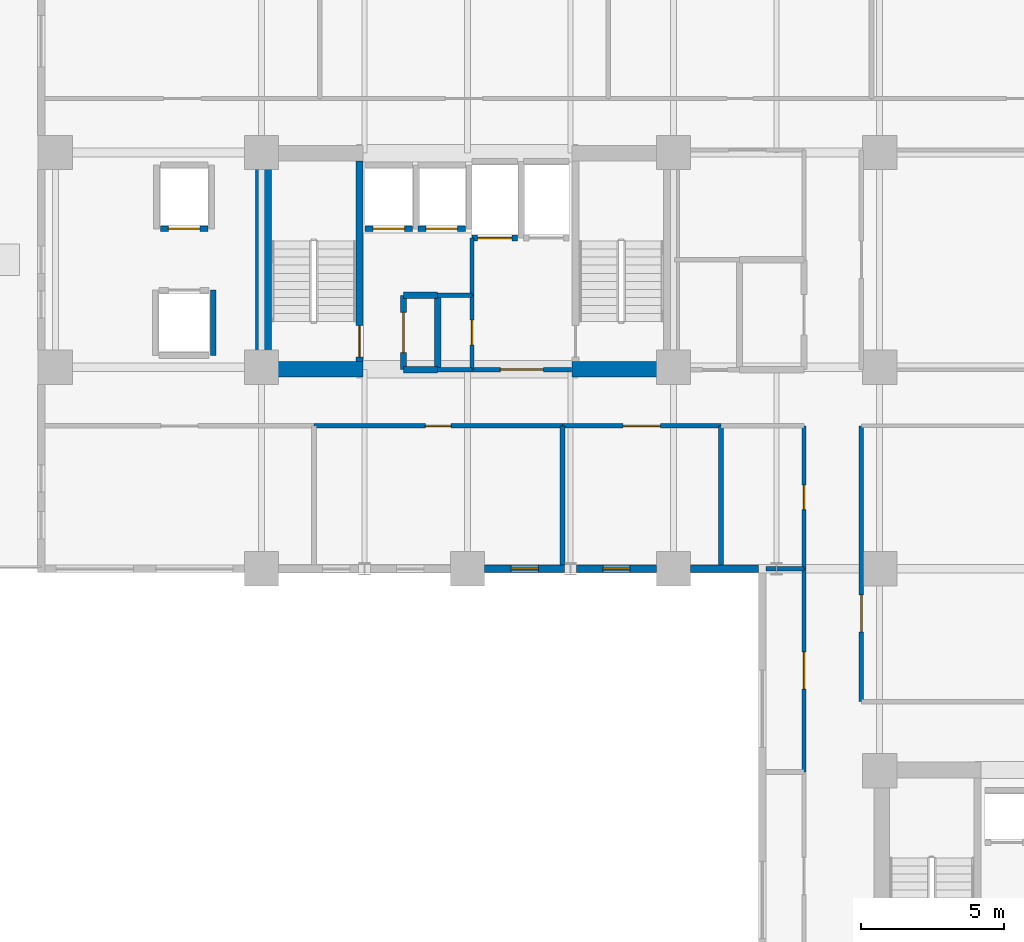
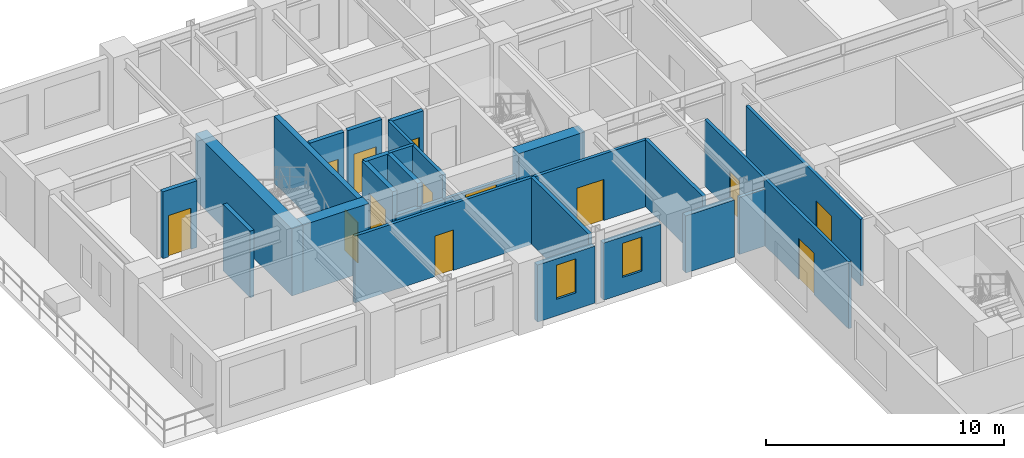
# One storey, part 3 of 11: 29 walls, 13 doors, 2 windows, 15 openings.
"""IFC4 building model written with IfcOpenShell, lengths in metres."""

import ifcopenshell
import ifcopenshell.guid

model = None  # the IFC model being written
_history = None  # IfcOwnerHistory: only IFC2X3 demands one
_inside = {}  # id of a spatial element -> (the spatial element, [elements in it])
_under = {}  # id of a project, library or spatial element -> (it, [spatial elements below it])
_declared = {}  # id of a project -> (the project, [libraries it declares])
_typed = {}  # id of a type object -> (the type object, [elements of that type])
_made_of = {}  # id of a material, layer set ... -> (it, [elements and type objects made of it])


def new_model(schema):
    """Start an empty IFC model of exactly this schema.

    Asked for "IFC4X3", IfcOpenShell would pick the latest addendum, in which some entities
    have other attributes; the version numbers below select the first issue.
    IFC2X3 requires an IfcOwnerHistory on every rooted entity: one is made here for all.
    """
    global model, _history
    if schema == "IFC4X3":
        model = ifcopenshell.file(schema_version=(4, 3, 0, 0))
    else:
        model = ifcopenshell.file(schema=schema)
    _inside.clear()
    _under.clear()
    _declared.clear()
    _typed.clear()
    _made_of.clear()
    _history = None
    if model.schema == "IFC2X3":
        org = make("IfcOrganization", Name="unknown")
        user = make(
            "IfcPersonAndOrganization",
            ThePerson=make("IfcPerson", FamilyName="unknown"),
            TheOrganization=org,
        )
        app = make(
            "IfcApplication",
            ApplicationDeveloper=org,
            Version="unknown",
            ApplicationFullName="unknown",
            ApplicationIdentifier="unknown",
        )
        _history = make(
            "IfcOwnerHistory",
            OwningUser=user,
            OwningApplication=app,
            ChangeAction="ADDED",
            CreationDate=0,
        )
    return model


def make(cls, **values):
    """One entity of the class cls with the attributes given. An attribute that is None is left unset."""
    return model.create_entity(
        cls, **{name: value for name, value in values.items() if value is not None}
    )


def rooted(cls, **values):
    """An entity with a GlobalId (a new one), such as an element, a storey or a relation."""
    return make(cls, GlobalId=ifcopenshell.guid.new(), OwnerHistory=_history, **values)


def si_unit(unit_type, name, prefix=None):
    """IfcSIUnit, for example si_unit("LENGTHUNIT", "METRE", prefix="MILLI")."""
    return make("IfcSIUnit", UnitType=unit_type, Prefix=prefix, Name=name)


def assignment(units):
    """IfcUnitAssignment: the units of a project."""
    return None if units is None else make("IfcUnitAssignment", Units=units)


def point(xyz):
    """IfcCartesianPoint."""
    return None if xyz is None else make("IfcCartesianPoint", Coordinates=xyz)


def direction(xyz):
    """IfcDirection."""
    return None if xyz is None else make("IfcDirection", DirectionRatios=xyz)


def frame(location, z_axis=None, x_axis=None):
    """IfcAxis2Placement3D, a coordinate frame: its origin and axes. An axis left out is left unset."""
    return make(
        "IfcAxis2Placement3D",
        Location=point(location),
        Axis=direction(z_axis),
        RefDirection=direction(x_axis),
    )


def frame_2d(location, x_axis=None):
    """IfcAxis2Placement2D, a coordinate frame in the plane: its origin and x axis."""
    return make(
        "IfcAxis2Placement2D", Location=point(location), RefDirection=direction(x_axis)
    )


def origin():
    """The frame at (0, 0, 0) with its axes left unset."""
    return frame((0.0, 0.0, 0.0))


def place(relative_to, where):
    """IfcLocalPlacement: puts the frame where relative to a parent placement (None: the world)."""
    return make(
        "IfcLocalPlacement", PlacementRelTo=relative_to, RelativePlacement=where
    )


def context(
    kind, dimensions, precision=None, world=None, true_north=None, identifier=None
):
    """IfcGeometricRepresentationContext, for example the 3D "Model" context."""
    return make(
        "IfcGeometricRepresentationContext",
        ContextIdentifier=identifier,
        ContextType=kind,
        CoordinateSpaceDimension=dimensions,
        Precision=precision,
        WorldCoordinateSystem=world,
        TrueNorth=true_north,
    )


def subcontext(parent, identifier, kind, view, scale=None):
    """IfcGeometricRepresentationSubContext, for example "Body" below "Model"."""
    return make(
        "IfcGeometricRepresentationSubContext",
        ContextIdentifier=identifier,
        ContextType=kind,
        ParentContext=parent,
        TargetScale=scale,
        TargetView=view,
    )


def project(units=None, contexts=None):
    """IfcProject with its units and contexts."""
    return rooted(
        "IfcProject",
        Name="project",
        RepresentationContexts=contexts,
        UnitsInContext=assignment(units),
    )


def spatial(cls, under=None, at=None, **own):
    """A site, building, storey or space (cls), placed at a placement, below another one or the project."""
    s = rooted(cls, ObjectPlacement=at, **own)
    if under is not None:
        _under.setdefault(under.id(), (under, []))[1].append(s)
    return s


def profile(cls, at=None, kind="AREA", **sizes):
    """A parametric profile (cls). Its sizes go by their IFC names, for example OverallWidth=200.0."""
    return make(cls, ProfileType=kind, Position=at, **sizes)


def rectangle(**sizes):
    """IfcRectangleProfileDef."""
    return profile("IfcRectangleProfileDef", **sizes)


def extrude(swept, where, along, depth):
    """IfcExtrudedAreaSolid: the profile swept, set in the frame where, extruded along a direction by depth."""
    return make(
        "IfcExtrudedAreaSolid",
        SweptArea=swept,
        Position=where,
        ExtrudedDirection=direction(along),
        Depth=depth,
    )


def shape(context_of_items, identifier, shape_type, items):
    """IfcShapeRepresentation: the items that make up one representation, for example the "Body"."""
    return make(
        "IfcShapeRepresentation",
        ContextOfItems=context_of_items,
        RepresentationIdentifier=identifier,
        RepresentationType=shape_type,
        Items=items,
    )


def material(Name=None, Category=None):
    """IfcMaterial."""
    return make("IfcMaterial", Name=Name, Category=Category)


def layer(
    of_material, thickness, ventilated=None, Name=None, Category=None, Priority=None
):
    """IfcMaterialLayer: one layer of a wall or slab, of a material (None: an air gap)."""
    return make(
        "IfcMaterialLayer",
        Material=of_material,
        LayerThickness=thickness,
        IsVentilated=ventilated,
        Name=Name,
        Category=Category,
        Priority=Priority,
    )


def layer_set(layers, Name=None):
    """IfcMaterialLayerSet."""
    return make("IfcMaterialLayerSet", MaterialLayers=layers, LayerSetName=Name)


def made_of(thing, what):
    """Note that an element or type object is made of a material, layer set ...; save() writes the relation."""
    if what is not None:
        _made_of.setdefault(what.id(), (what, []))[1].append(thing)
    return thing


def type_object(cls, material=None, **own):
    """A type object (cls), such as IfcWallType, which elements share."""
    return made_of(rooted(cls, **own), material)


def element(
    cls,
    number,
    at=None,
    inside=None,
    cuts=None,
    type_object=None,
    material=None,
    context=None,
    identifier="Body",
    shape_type=None,
    held_by="IfcProductDefinitionShape",
    body=None,
    shapes=None,
    **own,
):
    """One element of the class cls, such as IfcWall. Its Tag is "e" and its number.

    at: its placement. inside: the storey or other place that contains it. cuts: it is an
    opening in that element (IfcRelVoidsElement). A single representation is given by context,
    identifier, shape_type and body (its items); several are given by shapes. held_by: the class
    of the entity that holds the representations. save() writes the other relations.
    """
    e = rooted(cls, Tag="e%d" % number, ObjectPlacement=at, **own)
    if body is not None:
        shapes = [shape(context, identifier, shape_type, body)]
    if shapes is not None:
        e.Representation = make(held_by, Representations=shapes)
    if inside is not None:
        _inside.setdefault(inside.id(), (inside, []))[1].append(e)
    if cuts is not None:
        rooted(
            "IfcRelVoidsElement", RelatingBuildingElement=cuts, RelatedOpeningElement=e
        )
    if type_object is not None:
        _typed.setdefault(type_object.id(), (type_object, []))[1].append(e)
    return made_of(e, material)


def fill(opening, filler):
    """IfcRelFillsElement: the door or window that sits in an opening."""
    return rooted(
        "IfcRelFillsElement",
        RelatingOpeningElement=opening,
        RelatedBuildingElement=filler,
    )


def aggregate(whole, parts):
    """IfcRelAggregates: a whole, such as a stair, and the parts it consists of."""
    return rooted("IfcRelAggregates", RelatingObject=whole, RelatedObjects=parts)


def save(model, path):
    """Write the relations noted so far, then the file.

    IfcRelAggregates (storeys below a building ...), IfcRelContainedInSpatialStructure (elements
    in a storey), IfcRelDefinesByType, IfcRelAssociatesMaterial and IfcRelDeclares: one each for
    every whole, place, type object, material and project.
    """
    for whole, parts in _under.values():
        aggregate(whole, parts)
    for where, things in _inside.values():
        rooted(
            "IfcRelContainedInSpatialStructure",
            RelatedElements=things,
            RelatingStructure=where,
        )
    for kind, things in _typed.values():
        rooted("IfcRelDefinesByType", RelatedObjects=things, RelatingType=kind)
    for what, things in _made_of.values():
        rooted("IfcRelAssociatesMaterial", RelatedObjects=things, RelatingMaterial=what)
    for by, libraries in _declared.values():
        rooted("IfcRelDeclares", RelatingContext=by, RelatedDefinitions=libraries)
    model.write(path)


model = new_model("IFC4")

# Units and contexts
model_context = context("Model", 3, precision=1e-05, world=origin(), true_north=direction((0.0, 1.0)))
body_context = subcontext(model_context, "Body", "Model", "MODEL_VIEW")
ifc_project = project(units=[si_unit("LENGTHUNIT", "METRE"), si_unit("AREAUNIT", "SQUARE_METRE"), si_unit("VOLUMEUNIT", "CUBIC_METRE"), si_unit("PLANEANGLEUNIT", "RADIAN"), si_unit("MASSUNIT", "GRAM", prefix="KILO")], contexts=[model_context])

# Site, building, storey
site_placement = place(None, origin())
site = spatial("IfcSite", under=ifc_project, at=site_placement, CompositionType="ELEMENT")
building_placement = place(site_placement, origin())
building = spatial("IfcBuilding", under=site, at=building_placement, Name="Kaliganga Portal Commons", CompositionType="ELEMENT")
storey_placement = place(building_placement, frame((0.0, 0.0, 78.60009765625)))
storey = spatial("IfcBuildingStorey", under=building, at=storey_placement, Name="L19", CompositionType="ELEMENT", Elevation=78.60009765625)

# Walls
ifc_material_1 = material(Name="Concrete C60/75", Category="concrete")
ifc_layer_1 = layer(ifc_material_1, 0.550048828125)
ifc_layer_set_1 = layer_set([ifc_layer_1], Name="Concrete C60/75")
wall_type_1 = type_object("IfcWallType", Name="WL-CORE-550", PredefinedType="SHEAR", material=ifc_layer_set_1)
wall_1_placement = place(storey_placement, frame((14.47509765625, 28.300048828125, 0.0), z_axis=(0.0, 0.0, 1.0), x_axis=(0.0, 1.0, 0.0)))
element("IfcWall", 1, at=wall_1_placement, inside=storey, type_object=wall_type_1, Name="Core A West Shear Wall L19", PredefinedType="SHEAR", context=body_context, shape_type="SweptSolid", body=[
    extrude(rectangle(XDim=8.099853515625, YDim=0.550048828125, at=frame_2d((4.0498046875, 0.0))), origin(), (0.0, 0.0, 1.0), 3.449951171875),
])
for number, where, z_axis, x_axis, name in (
    (2, (14.75, 28.574951171875, 0.0), (0.0, 0.0, 1.0), (1.0, 0.0, 0.0), "Core A S-West Shear Wall L19"),
    (3, (25.25, 28.574951171875, 0.0), (0.0, 0.0, 1.0), (1.0, 0.0, 0.0), "Core A S-East Shear Wall L19"),
):
    element("IfcWall", number, at=place(storey_placement, frame(where, z_axis=z_axis, x_axis=x_axis)), inside=storey, type_object=wall_type_1, Name=name, PredefinedType="SHEAR", context=body_context, shape_type="SweptSolid", body=[
        extrude(rectangle(XDim=3.199951171875, YDim=0.550048828125, at=frame_2d((1.60009765625, 0.0))), origin(), (0.0, 0.0, 1.0), 3.449951171875),
    ])

# Wall, opening, window
ifc_material_2 = material(Name="Insulated Aluminium-Clad Spandrel Assembly", Category="aluminium")
ifc_layer_2 = layer(ifc_material_2, 0.260009765625)
ifc_layer_set_2 = layer_set([ifc_layer_2], Name="Insulated Aluminium-Clad Spandrel Assembly")
wall_type_2 = type_object("IfcWallType", Name="WL-EXT-SPAND-260", PredefinedType="STANDARD", material=ifc_layer_set_2)
wall_2_placement = place(storey_placement, frame((24.994384765625, 21.60009765625, 0.0), z_axis=(0.0, 0.0, 1.0), x_axis=(-1.0, 0.0, 0.0)))
wall_2 = element("IfcWall", 4, at=wall_2_placement, inside=storey, type_object=wall_type_2, Name="Exterior Envelope Wall L19 P1-E04-S4", PredefinedType="STANDARD", context=body_context, shape_type="SweptSolid", body=[
    extrude(rectangle(XDim=2.79345703125, YDim=0.260009765625, at=frame_2d((1.396728515625, 0.0))), origin(), (0.0, 0.0, 1.0), 2.929931640625),
])
opening_1_placement = place(wall_2_placement, frame((0.921630859375, 0.0, 0.85009765625)))
opening_1 = element("IfcOpeningElement", 5, at=opening_1_placement, cuts=wall_2, Name="Opening W-04", PredefinedType="OPENING", context=body_context, shape_type="SweptSolid", body=[
    extrude(rectangle(XDim=0.949951171875, YDim=1.75, at=frame_2d((0.47509765625, 0.875))), frame((0.0, 0.14013671875, 0.0), z_axis=(0.0, -1.0, 0.0), x_axis=(1.0, 0.0, 0.0)), (0.0, 0.0, 1.0), 0.280029296875),
])
ifc_material_3 = material(Name="Thermally Broken Aluminium and Low-E Double Glazing", Category="aluminium")
window_type = type_object("IfcWindowType", Name="WIN-NARROW-950", PartitioningType="SINGLE_PANEL", PredefinedType="WINDOW", material=ifc_material_3)
window_1_placement = place(opening_1_placement, origin())
window_1 = element("IfcWindow", 6, at=window_1_placement, inside=storey, type_object=window_type, Name="Facade Window L19-P1E04S4-00", OverallHeight=1.75, OverallWidth=0.949951171875, PartitioningType="SINGLE_PANEL", PredefinedType="WINDOW", context=body_context, shape_type="SweptSolid", body=[
    extrude(rectangle(XDim=0.949951171875, YDim=1.75, at=frame_2d((0.47509765625, 0.875))), frame((0.0, 0.030029296875, 0.0), z_axis=(0.0, -1.0, 0.0), x_axis=(1.0, 0.0, 0.0)), (0.0, 0.0, 1.0), 0.06005859375),
])
fill(opening_1, window_1)

wall_3_placement = place(storey_placement, frame((28.198974609375, 21.60009765625, 0.0), z_axis=(0.0, 0.0, 1.0), x_axis=(-1.0, 0.0, 0.0)))
wall_3 = element("IfcWall", 7, at=wall_3_placement, inside=storey, type_object=wall_type_2, Name="Exterior Envelope Wall L19 P1-E04-S5", PredefinedType="STANDARD", context=body_context, shape_type="SweptSolid", body=[
    extrude(rectangle(XDim=2.79345703125, YDim=0.260009765625, at=frame_2d((1.396728515625, 0.0))), origin(), (0.0, 0.0, 1.0), 2.929931640625),
])
opening_2_placement = place(wall_3_placement, frame((0.921875, 0.0, 0.85009765625)))
opening_2 = element("IfcOpeningElement", 8, at=opening_2_placement, cuts=wall_3, Name="Opening W-04", PredefinedType="OPENING", context=body_context, shape_type="SweptSolid", body=[
    extrude(rectangle(XDim=0.949951171875, YDim=1.75, at=frame_2d((0.47509765625, 0.875))), frame((0.0, 0.14013671875, 0.0), z_axis=(0.0, -1.0, 0.0), x_axis=(1.0, 0.0, 0.0)), (0.0, 0.0, 1.0), 0.280029296875),
])
window_2_placement = place(opening_2_placement, origin())
window_2 = element("IfcWindow", 9, at=window_2_placement, inside=storey, type_object=window_type, Name="Facade Window L19-P1E04S5-00", OverallHeight=1.75, OverallWidth=0.949951171875, PartitioningType="SINGLE_PANEL", PredefinedType="WINDOW", context=body_context, shape_type="SweptSolid", body=[
    extrude(rectangle(XDim=0.949951171875, YDim=1.75, at=frame_2d((0.47509765625, 0.875))), frame((0.0, 0.030029296875, 0.0), z_axis=(0.0, -1.0, 0.0), x_axis=(1.0, 0.0, 0.0)), (0.0, 0.0, 1.0), 0.06005859375),
])
fill(opening_2, window_2)

# Wall
wall_4_placement = place(storey_placement, frame((31.764892578125, 21.60009765625, 0.0), z_axis=(0.0, 0.0, 1.0), x_axis=(-1.0, 0.0, 0.0)))
element("IfcWall", 10, at=wall_4_placement, inside=storey, type_object=wall_type_2, Name="Exterior Envelope Wall L19 P1-E04-S6", PredefinedType="STANDARD", context=body_context, shape_type="SweptSolid", body=[
    extrude(rectangle(XDim=2.364013671875, YDim=0.260009765625, at=frame_2d((1.18212890625, 0.0))), origin(), (0.0, 0.0, 1.0), 2.929931640625),
])

# Wall, opening, door
ifc_material_4 = material(Name="Fire-Rated Gypsum Board on Steel Stud", Category="steel")
ifc_layer_3 = layer(ifc_material_4, 0.14990234375)
ifc_layer_set_3 = layer_set([ifc_layer_3], Name="Fire-Rated Gypsum Board on Steel Stud")
wall_type_3 = type_object("IfcWallType", Name="WL-PART-CORR-150", PredefinedType="PARTITIONING", material=ifc_layer_set_3)
wall_5_placement = place(storey_placement, frame((35.360107421875, 16.9599609375, 0.0), z_axis=(0.0, 0.0, 1.0), x_axis=(0.0, 1.0, 0.0)))
wall_5 = element("IfcWall", 11, at=wall_5_placement, inside=storey, type_object=wall_type_3, Name="Interior Partition L19-010", PredefinedType="PARTITIONING", context=body_context, shape_type="SweptSolid", body=[
    extrude(rectangle(XDim=9.64013671875, YDim=0.14990234375, at=frame_2d((4.820068359375, 0.0))), origin(), (0.0, 0.0, 1.0), 3.429931640625),
])
opening_3_placement = place(wall_5_placement, frame((2.434814453125, 0.0, 0.0)))
opening_3 = element("IfcOpeningElement", 12, at=opening_3_placement, cuts=wall_5, Name="Opening RD-03", PredefinedType="OPENING", context=body_context, shape_type="SweptSolid", body=[
    extrude(rectangle(XDim=1.300048828125, YDim=2.1201171875, at=frame_2d((0.64990234375, 1.06005859375))), frame((0.0, 0.0849609375, 0.0), z_axis=(0.0, -1.0, 0.0), x_axis=(1.0, 0.0, 0.0)), (0.0, 0.0, 1.0), 0.169921875),
])
ifc_material_5 = material(Name="Glazed Timber Seminar Vision Door", Category="wood")
door_type_1 = type_object("IfcDoorType", Name="DR-STUDY-1300", OperationType="DOUBLE_DOOR_SINGLE_SWING", PredefinedType="DOOR", material=ifc_material_5)
door_1_placement = place(opening_3_placement, origin())
door_1 = element("IfcDoor", 13, at=door_1_placement, inside=storey, type_object=door_type_1, Name="Interior Door L19-BM01", OperationType="DOUBLE_DOOR_SINGLE_SWING", OverallHeight=2.1201171875, OverallWidth=1.300048828125, PredefinedType="DOOR", context=body_context, shape_type="SweptSolid", body=[
    extrude(rectangle(XDim=1.300048828125, YDim=2.1201171875, at=frame_2d((0.64990234375, 1.06005859375))), frame((0.0, 0.02490234375, 0.0), z_axis=(0.0, -1.0, 0.0), x_axis=(1.0, 0.0, 0.0)), (0.0, 0.0, 1.0), 0.050048828125),
])
fill(opening_3, door_1)

wall_6_placement = place(storey_placement, frame((16.239990234375, 26.60009765625, 0.0), z_axis=(0.0, 0.0, 1.0), x_axis=(1.0, 0.0, 0.0)))
wall_6 = element("IfcWall", 14, at=wall_6_placement, inside=storey, type_object=wall_type_3, Name="Interior Partition L19-015", PredefinedType="PARTITIONING", context=body_context, shape_type="SweptSolid", body=[
    extrude(rectangle(XDim=8.679931640625, YDim=0.14990234375, at=frame_2d((4.33984375, 0.0))), origin(), (0.0, 0.0, 1.0), 3.429931640625),
])
opening_4_placement = place(wall_6_placement, frame((3.889892578125, 0.0, 0.0)))
opening_4 = element("IfcOpeningElement", 15, at=opening_4_placement, cuts=wall_6, Name="Opening RD-01", PredefinedType="OPENING", context=body_context, shape_type="SweptSolid", body=[
    extrude(rectangle(XDim=0.89990234375, YDim=2.080078125, at=frame_2d((0.449951171875, 1.0400390625))), frame((0.0, 0.0849609375, 0.0), z_axis=(0.0, -1.0, 0.0), x_axis=(1.0, 0.0, 0.0)), (0.0, 0.0, 1.0), 0.169921875),
])
ifc_material_6 = material(Name="Engineered Timber Flush Door", Category="wood")
door_type_2 = type_object("IfcDoorType", Name="DR-ROOM-900", OperationType="NOTDEFINED", PredefinedType="DOOR", material=ifc_material_6)
door_2_placement = place(opening_4_placement, origin())
door_2 = element("IfcDoor", 16, at=door_2_placement, inside=storey, type_object=door_type_2, Name="Interior Door L19-AS02", OperationType="SINGLE_SWING_LEFT", OverallHeight=2.080078125, OverallWidth=0.89990234375, PredefinedType="DOOR", context=body_context, shape_type="SweptSolid", body=[
    extrude(rectangle(XDim=0.89990234375, YDim=2.080078125, at=frame_2d((0.449951171875, 1.0400390625))), frame((0.0, 0.02490234375, 0.0), z_axis=(0.0, -1.0, 0.0), x_axis=(1.0, 0.0, 0.0)), (0.0, 0.0, 1.0), 0.050048828125),
])
fill(opening_4, door_2)

wall_7_placement = place(storey_placement, frame((33.360107421875, 14.5, 0.0), z_axis=(0.0, 0.0, 1.0), x_axis=(0.0, 1.0, 0.0)))
wall_7 = element("IfcWall", 17, at=wall_7_placement, inside=storey, type_object=wall_type_3, Name="Interior Partition L19-019", PredefinedType="PARTITIONING", context=body_context, shape_type="SweptSolid", body=[
    extrude(rectangle(XDim=7.10009765625, YDim=0.14990234375, at=frame_2d((3.550048828125, 0.0))), origin(), (0.0, 0.0, 1.0), 3.429931640625),
])
opening_5_placement = place(wall_7_placement, frame((2.89990234375, 0.0, 0.0)))
opening_5 = element("IfcOpeningElement", 18, at=opening_5_placement, cuts=wall_7, Name="Opening RD-03", PredefinedType="OPENING", context=body_context, shape_type="SweptSolid", body=[
    extrude(rectangle(XDim=1.300048828125, YDim=2.1201171875, at=frame_2d((0.64990234375, 1.06005859375))), frame((0.0, 0.0849609375, 0.0), z_axis=(0.0, -1.0, 0.0), x_axis=(1.0, 0.0, 0.0)), (0.0, 0.0, 1.0), 0.169921875),
])
door_3_placement = place(opening_5_placement, origin())
door_3 = element("IfcDoor", 19, at=door_3_placement, inside=storey, type_object=door_type_1, Name="Interior Door L19-KW02", OperationType="DOUBLE_DOOR_SINGLE_SWING", OverallHeight=2.1201171875, OverallWidth=1.300048828125, PredefinedType="DOOR", context=body_context, shape_type="SweptSolid", body=[
    extrude(rectangle(XDim=1.300048828125, YDim=2.1201171875, at=frame_2d((0.64990234375, 1.06005859375))), frame((0.0, 0.02490234375, 0.0), z_axis=(0.0, -1.0, 0.0), x_axis=(1.0, 0.0, 0.0)), (0.0, 0.0, 1.0), 0.050048828125),
])
fill(opening_5, door_3)

wall_8_placement = place(storey_placement, frame((24.919921875, 26.60009765625, 0.0), z_axis=(0.0, 0.0, 1.0), x_axis=(1.0, 0.0, 0.0)))
wall_8 = element("IfcWall", 20, at=wall_8_placement, inside=storey, type_object=wall_type_3, Name="Interior Partition L19-023", PredefinedType="PARTITIONING", context=body_context, shape_type="SweptSolid", body=[
    extrude(rectangle(XDim=5.5400390625, YDim=0.14990234375, at=frame_2d((2.77001953125, 0.0))), origin(), (0.0, 0.0, 1.0), 3.429931640625),
])
opening_6_placement = place(wall_8_placement, frame((2.1201171875, 0.0, 0.0)))
opening_6 = element("IfcOpeningElement", 21, at=opening_6_placement, cuts=wall_8, Name="Opening RD-03", PredefinedType="OPENING", context=body_context, shape_type="SweptSolid", body=[
    extrude(rectangle(XDim=1.300048828125, YDim=2.1201171875, at=frame_2d((0.64990234375, 1.06005859375))), frame((0.0, 0.0849609375, 0.0), z_axis=(0.0, -1.0, 0.0), x_axis=(1.0, 0.0, 0.0)), (0.0, 0.0, 1.0), 0.169921875),
])
door_4_placement = place(opening_6_placement, origin())
door_4 = element("IfcDoor", 22, at=door_4_placement, inside=storey, type_object=door_type_1, Name="Interior Door L19-AS03", OperationType="DOUBLE_DOOR_SINGLE_SWING", OverallHeight=2.1201171875, OverallWidth=1.300048828125, PredefinedType="DOOR", context=body_context, shape_type="SweptSolid", body=[
    extrude(rectangle(XDim=1.300048828125, YDim=2.1201171875, at=frame_2d((0.64990234375, 1.06005859375))), frame((0.0, 0.02490234375, 0.0), z_axis=(0.0, -1.0, 0.0), x_axis=(1.0, 0.0, 0.0)), (0.0, 0.0, 1.0), 0.050048828125),
])
fill(opening_6, door_4)

wall_9_placement = place(storey_placement, frame((33.360107421875, 21.60009765625, 0.0), z_axis=(0.0, 0.0, 1.0), x_axis=(0.0, 1.0, 0.0)))
wall_9 = element("IfcWall", 23, at=wall_9_placement, inside=storey, type_object=wall_type_3, Name="Interior Partition L19-026", PredefinedType="PARTITIONING", context=body_context, shape_type="SweptSolid", body=[
    extrude(rectangle(XDim=5.0, YDim=0.14990234375, at=frame_2d((2.5, 0.0))), origin(), (0.0, 0.0, 1.0), 3.429931640625),
])
opening_7_placement = place(wall_9_placement, frame((2.070068359375, 0.0, 0.0)))
opening_7 = element("IfcOpeningElement", 24, at=opening_7_placement, cuts=wall_9, Name="Opening WD-02", PredefinedType="OPENING", context=body_context, shape_type="SweptSolid", body=[
    extrude(rectangle(XDim=0.860107421875, YDim=2.02001953125, at=frame_2d((0.43017578125, 1.010009765625))), frame((0.0, 0.0849609375, 0.0), z_axis=(0.0, -1.0, 0.0), x_axis=(1.0, 0.0, 0.0)), (0.0, 0.0, 1.0), 0.169921875),
])
ifc_material_7 = material(Name="Fire-Rated Utility Closet Door", Category="wood")
door_type_3 = type_object("IfcDoorType", Name="DR-STORE-800", OperationType="NOTDEFINED", PredefinedType="DOOR", material=ifc_material_7)
door_5_placement = place(opening_7_placement, origin())
door_5 = element("IfcDoor", 25, at=door_5_placement, inside=storey, type_object=door_type_3, Name="Interior Door L19-AS04", OperationType="SINGLE_SWING_RIGHT", OverallHeight=2.02001953125, OverallWidth=0.860107421875, PredefinedType="DOOR", context=body_context, shape_type="SweptSolid", body=[
    extrude(rectangle(XDim=0.860107421875, YDim=2.02001953125, at=frame_2d((0.43017578125, 1.010009765625))), frame((0.0, 0.02490234375, 0.0), z_axis=(0.0, -1.0, 0.0), x_axis=(1.0, 0.0, 0.0)), (0.0, 0.0, 1.0), 0.050048828125),
])
fill(opening_7, door_5)

wall_10_placement = place(storey_placement, frame((21.760009765625, 28.56005859375, 0.0), z_axis=(0.0, 0.0, 1.0), x_axis=(0.0, 1.0, 0.0)))
wall_10 = element("IfcWall", 26, at=wall_10_placement, inside=storey, type_object=wall_type_3, Name="Interior Partition L19-035", PredefinedType="PARTITIONING", context=body_context, shape_type="SweptSolid", body=[
    extrude(rectangle(XDim=2.599853515625, YDim=0.14990234375, at=frame_2d((1.2998046875, 0.0))), origin(), (0.0, 0.0, 1.0), 3.429931640625),
])
opening_8_placement = place(wall_10_placement, frame((0.8701171875, 0.0, 0.0)))
opening_8 = element("IfcOpeningElement", 27, at=opening_8_placement, cuts=wall_10, Name="Opening WD-02", PredefinedType="OPENING", context=body_context, shape_type="SweptSolid", body=[
    extrude(rectangle(XDim=0.860107421875, YDim=2.02001953125, at=frame_2d((0.43017578125, 1.010009765625))), frame((0.0, 0.0849609375, 0.0), z_axis=(0.0, -1.0, 0.0), x_axis=(1.0, 0.0, 0.0)), (0.0, 0.0, 1.0), 0.169921875),
])
door_6_placement = place(opening_8_placement, origin())
door_6 = element("IfcDoor", 28, at=door_6_placement, inside=storey, type_object=door_type_3, Name="Interior Door L19-CIN_A2", OperationType="SINGLE_SWING_RIGHT", OverallHeight=2.02001953125, OverallWidth=0.860107421875, PredefinedType="DOOR", context=body_context, shape_type="SweptSolid", body=[
    extrude(rectangle(XDim=0.860107421875, YDim=2.02001953125, at=frame_2d((0.43017578125, 1.010009765625))), frame((0.0, 0.02490234375, 0.0), z_axis=(0.0, -1.0, 0.0), x_axis=(1.0, 0.0, 0.0)), (0.0, 0.0, 1.0), 0.050048828125),
])
fill(opening_8, door_6)

# Walls
wall_11_placement = place(storey_placement, frame((20.56005859375, 28.56005859375, 0.0), z_axis=(0.0, 0.0, 1.0), x_axis=(1.0, 0.0, 0.0)))
element("IfcWall", 29, at=wall_11_placement, inside=storey, type_object=wall_type_3, Name="Interior Partition L19-042", PredefinedType="PARTITIONING", context=body_context, shape_type="SweptSolid", body=[
    extrude(rectangle(XDim=1.199951171875, YDim=0.14990234375, at=frame_2d((0.60009765625, 0.0))), origin(), (0.0, 0.0, 1.0), 2.22998046875),
])
wall_12_placement = place(storey_placement, frame((20.56005859375, 31.159912109375, 0.0), z_axis=(0.0, 0.0, 1.0), x_axis=(1.0, 0.0, 0.0)))
element("IfcWall", 30, at=wall_12_placement, inside=storey, type_object=wall_type_3, Name="Interior Partition L19-043", PredefinedType="PARTITIONING", context=body_context, shape_type="SweptSolid", body=[
    extrude(rectangle(XDim=1.199951171875, YDim=0.14990234375, at=frame_2d((0.60009765625, 0.0))), origin(), (0.0, 0.0, 1.0), 3.429931640625),
])

# Wall, opening, door
wall_13_placement = place(storey_placement, frame((21.760009765625, 28.56005859375, 0.0), z_axis=(0.0, 0.0, 1.0), x_axis=(1.0, 0.0, 0.0)))
wall_13 = element("IfcWall", 31, at=wall_13_placement, inside=storey, type_object=wall_type_3, Name="Interior Partition L19-073", PredefinedType="PARTITIONING", context=body_context, shape_type="SweptSolid", body=[
    extrude(rectangle(XDim=3.47998046875, YDim=0.14990234375, at=frame_2d((1.739990234375, 0.0))), origin(), (0.0, 0.0, 1.0), 2.22998046875),
])
opening_9_placement = place(wall_13_placement, frame((0.989990234375, 0.0, 0.0)))
opening_9 = element("IfcOpeningElement", 32, at=opening_9_placement, cuts=wall_13, Name="Opening FD-01", PredefinedType="OPENING", context=body_context, shape_type="SweptSolid", body=[
    extrude(rectangle(XDim=1.5, YDim=2.10009765625, at=frame_2d((0.75, 1.050048828125))), frame((0.0, 0.0849609375, 0.0), z_axis=(0.0, -1.0, 0.0), x_axis=(1.0, 0.0, 0.0)), (0.0, 0.0, 1.0), 0.169921875),
])
ifc_material_8 = material(Name="Fire-Rated Hardwood and Georgian-Wired Vision Panel", Category="wood")
door_type_4 = type_object("IfcDoorType", Name="DR-LOBBY-1500", OperationType="DOUBLE_DOOR_SINGLE_SWING", PredefinedType="DOOR", material=ifc_material_8)
door_7_placement = place(opening_9_placement, origin())
door_7 = element("IfcDoor", 33, at=door_7_placement, inside=storey, type_object=door_type_4, Name="Interior Door L19-FFLOB_A", OperationType="DOUBLE_DOOR_SINGLE_SWING", OverallHeight=2.10009765625, OverallWidth=1.5, PredefinedType="DOOR", context=body_context, shape_type="SweptSolid", body=[
    extrude(rectangle(XDim=1.5, YDim=2.10009765625, at=frame_2d((0.75, 1.050048828125))), frame((0.0, 0.02490234375, 0.0), z_axis=(0.0, -1.0, 0.0), x_axis=(1.0, 0.0, 0.0)), (0.0, 0.0, 1.0), 0.050048828125),
])
fill(opening_9, door_7)

# Wall
wall_14_placement = place(storey_placement, frame((21.760009765625, 31.159912109375, 0.0), z_axis=(0.0, 0.0, 1.0), x_axis=(0.0, 1.0, 0.0)))
element("IfcWall", 34, at=wall_14_placement, inside=storey, type_object=wall_type_3, Name="Interior Partition L19-080", PredefinedType="PARTITIONING", context=body_context, shape_type="SweptSolid", body=[
    extrude(rectangle(XDim=2.0, YDim=0.14990234375, at=frame_2d((1.0, 0.0))), origin(), (0.0, 0.0, 1.0), 3.429931640625),
])

# Wall, opening, door
ifc_material_9 = material(Name="Lightweight blockwork masonry", Category="masonry")
ifc_layer_4 = layer(ifc_material_9, 0.215087890625)
ifc_layer_set_4 = layer_set([ifc_layer_4], Name="Lightweight blockwork masonry")
wall_type_4 = type_object("IfcWallType", Name="WL-PART-PLANT-215", PredefinedType="PARTITIONING", material=ifc_layer_set_4)
wall_15_placement = place(storey_placement, frame((19.360107421875, 28.56005859375, 0.0), z_axis=(0.0, 0.0, 1.0), x_axis=(0.0, 1.0, 0.0)))
wall_15 = element("IfcWall", 35, at=wall_15_placement, inside=storey, type_object=wall_type_4, Name="Interior Partition L19-034", PredefinedType="PARTITIONING", context=body_context, shape_type="SweptSolid", body=[
    extrude(rectangle(XDim=2.599853515625, YDim=0.215087890625, at=frame_2d((1.2998046875, 0.0))), origin(), (0.0, 0.0, 1.0), 3.429931640625),
])
opening_10_placement = place(wall_15_placement, frame((0.60009765625, 0.0, 0.0)))
opening_10 = element("IfcOpeningElement", 36, at=opening_10_placement, cuts=wall_15, Name="Opening PD-01", PredefinedType="OPENING", context=body_context, shape_type="SweptSolid", body=[
    extrude(rectangle(XDim=1.39990234375, YDim=2.14990234375, at=frame_2d((0.699951171875, 1.074951171875))), frame((0.0, 0.11767578125, 0.0), z_axis=(0.0, -1.0, 0.0), x_axis=(1.0, 0.0, 0.0)), (0.0, 0.0, 1.0), 0.235107421875),
])
ifc_material_10 = material(Name="Heavy-Duty Steel Acoustic Louvre Fire Door", Category="steel")
door_type_5 = type_object("IfcDoorType", Name="DR-PLANT-1400", OperationType="DOUBLE_DOOR_SINGLE_SWING", PredefinedType="DOOR", material=ifc_material_10)
door_8_placement = place(opening_10_placement, origin())
door_8 = element("IfcDoor", 37, at=door_8_placement, inside=storey, type_object=door_type_5, Name="Interior Door L19-CIN_A1", OperationType="DOUBLE_DOOR_SINGLE_SWING", OverallHeight=2.14990234375, OverallWidth=1.39990234375, PredefinedType="DOOR", context=body_context, shape_type="SweptSolid", body=[
    extrude(rectangle(XDim=1.39990234375, YDim=2.14990234375, at=frame_2d((0.699951171875, 1.074951171875))), frame((0.0, 0.02490234375, 0.0), z_axis=(0.0, -1.0, 0.0), x_axis=(1.0, 0.0, 0.0)), (0.0, 0.0, 1.0), 0.050048828125),
])
fill(opening_10, door_8)

# Walls
wall_16_placement = place(storey_placement, frame((19.360107421875, 28.56005859375, 0.0), z_axis=(0.0, 0.0, 1.0), x_axis=(1.0, 0.0, 0.0)))
element("IfcWall", 38, at=wall_16_placement, inside=storey, type_object=wall_type_4, Name="Interior Partition L19-044", PredefinedType="PARTITIONING", context=body_context, shape_type="SweptSolid", body=[
    extrude(rectangle(XDim=1.199951171875, YDim=0.215087890625, at=frame_2d((0.60009765625, 0.0))), origin(), (0.0, 0.0, 1.0), 2.22998046875),
])
wall_17_placement = place(storey_placement, frame((19.360107421875, 31.159912109375, 0.0), z_axis=(0.0, 0.0, 1.0), x_axis=(1.0, 0.0, 0.0)))
element("IfcWall", 39, at=wall_17_placement, inside=storey, type_object=wall_type_4, Name="Interior Partition L19-045", PredefinedType="PARTITIONING", context=body_context, shape_type="SweptSolid", body=[
    extrude(rectangle(XDim=1.199951171875, YDim=0.215087890625, at=frame_2d((0.60009765625, 0.0))), origin(), (0.0, 0.0, 1.0), 3.429931640625),
])
wall_18_placement = place(storey_placement, frame((20.56005859375, 28.56005859375, 0.0), z_axis=(0.0, 0.0, 1.0), x_axis=(0.0, 1.0, 0.0)))
element("IfcWall", 40, at=wall_18_placement, inside=storey, type_object=wall_type_4, Name="Interior Partition L19-076", PredefinedType="PARTITIONING", context=body_context, shape_type="SweptSolid", body=[
    extrude(rectangle(XDim=2.599853515625, YDim=0.215087890625, at=frame_2d((1.2998046875, 0.0))), origin(), (0.0, 0.0, 1.0), 3.429931640625),
])
ifc_material_11 = material(Name="Twin-Stud Acoustic Gypsum Partition", Category="gypsum")
ifc_layer_5 = layer(ifc_material_11, 0.1650390625)
ifc_layer_set_5 = layer_set([ifc_layer_5], Name="Twin-Stud Acoustic Gypsum Partition")
wall_type_5 = type_object("IfcWallType", Name="WL-PART-UNIT-165", PredefinedType="PARTITIONING", material=ifc_layer_set_5)
for number, where, z_axis, x_axis, name in (
    (41, (24.919921875, 21.73193359375, 0.0), (0.0, 0.0, 1.0), (0.0, 1.0, 0.0), "Interior Partition L19-067"),
    (42, (30.4599609375, 21.73193359375, 0.0), (0.0, 0.0, 1.0), (0.0, 1.0, 0.0), "Interior Partition L19-068"),
):
    element("IfcWall", number, at=place(storey_placement, frame(where, z_axis=z_axis, x_axis=x_axis)), inside=storey, type_object=wall_type_5, Name=name, PredefinedType="PARTITIONING", context=body_context, shape_type="SweptSolid", body=[
        extrude(rectangle(XDim=4.8681640625, YDim=0.1650390625, at=frame_2d((2.43408203125, 0.0))), origin(), (0.0, 0.0, 1.0), 3.429931640625),
    ])
wall_19_placement = place(storey_placement, frame((32.031982421875, 21.60009765625, 0.0), z_axis=(0.0, 0.0, 1.0), x_axis=(1.0, 0.0, 0.0)))
element("IfcWall", 43, at=wall_19_placement, inside=storey, type_object=wall_type_5, Name="Interior Partition L19-082", PredefinedType="PARTITIONING", context=body_context, shape_type="SweptSolid", body=[
    extrude(rectangle(XDim=1.328125, YDim=0.1650390625, at=frame_2d((0.6640625, 0.0))), origin(), (0.0, 0.0, 1.0), 2.929931640625),
])

# Wall, opening, door
ifc_material_12 = material(Name="Fire-Rated Shaftwall Masonry Assembly", Category="masonry")
ifc_layer_6 = layer(ifc_material_12, 0.199951171875)
ifc_layer_set_6 = layer_set([ifc_layer_6], Name="Fire-Rated Shaftwall Masonry Assembly")
wall_type_6 = type_object("IfcWallType", Name="WL-SHAFT-200", PredefinedType="PARTITIONING", material=ifc_layer_set_6)
wall_20_placement = place(storey_placement, frame((18.02490234375, 33.485107421875, 0.0), z_axis=(0.0, 0.0, 1.0), x_axis=(1.0, 0.0, 0.0)))
wall_20 = element("IfcWall", 44, at=wall_20_placement, inside=storey, type_object=wall_type_6, Name="Lift PL-A1 Hoistway Shaft Wall L19-S", PredefinedType="PARTITIONING", context=body_context, shape_type="SweptSolid", body=[
    extrude(rectangle(XDim=1.650146484375, YDim=0.199951171875, at=frame_2d((0.8251953125, 0.0))), origin(), (0.0, 0.0, 1.0), 3.429931640625),
])
opening_11_placement = place(wall_20_placement, frame((0.27490234375, 0.0, 0.0)))
opening_11 = element("IfcOpeningElement", 45, at=opening_11_placement, cuts=wall_20, Name="Opening LD-01", PredefinedType="OPENING", context=body_context, shape_type="SweptSolid", body=[
    extrude(rectangle(XDim=1.10009765625, YDim=2.1201171875, at=frame_2d((0.550048828125, 1.06005859375))), frame((0.0, 0.10986328125, 0.0), z_axis=(0.0, -1.0, 0.0), x_axis=(1.0, 0.0, 0.0)), (0.0, 0.0, 1.0), 0.219970703125),
])
ifc_material_13 = material(Name="Brushed Stainless Steel 316 Lift Landing Door", Category="steel")
door_type_6 = type_object("IfcDoorType", Name="DR-LIFT-1100", OperationType="SLIDING_TO_LEFT", PredefinedType="DOOR", material=ifc_material_13)
door_9_placement = place(opening_11_placement, origin())
door_9 = element("IfcDoor", 46, at=door_9_placement, inside=storey, type_object=door_type_6, Name="Lift PL-A1 Sliding Landing Door L19", OperationType="SLIDING_TO_LEFT", OverallHeight=2.1201171875, OverallWidth=1.10009765625, PredefinedType="DOOR", context=body_context, shape_type="SweptSolid", body=[
    extrude(rectangle(XDim=1.10009765625, YDim=2.1201171875, at=frame_2d((0.550048828125, 1.06005859375))), frame((0.0, 0.02490234375, 0.0), z_axis=(0.0, -1.0, 0.0), x_axis=(1.0, 0.0, 0.0)), (0.0, 0.0, 1.0), 0.050048828125),
])
fill(opening_11, door_9)

wall_21_placement = place(storey_placement, frame((19.875, 33.485107421875, 0.0), z_axis=(0.0, 0.0, 1.0), x_axis=(1.0, 0.0, 0.0)))
wall_21 = element("IfcWall", 47, at=wall_21_placement, inside=storey, type_object=wall_type_6, Name="Lift PL-A2 Hoistway Shaft Wall L19-S", PredefinedType="PARTITIONING", context=body_context, shape_type="SweptSolid", body=[
    extrude(rectangle(XDim=1.64990234375, YDim=0.199951171875, at=frame_2d((0.824951171875, 0.0))), origin(), (0.0, 0.0, 1.0), 3.429931640625),
])
opening_12_placement = place(wall_21_placement, frame((0.27490234375, 0.0, 0.0)))
opening_12 = element("IfcOpeningElement", 48, at=opening_12_placement, cuts=wall_21, Name="Opening LD-01", PredefinedType="OPENING", context=body_context, shape_type="SweptSolid", body=[
    extrude(rectangle(XDim=1.10009765625, YDim=2.1201171875, at=frame_2d((0.550048828125, 1.06005859375))), frame((0.0, 0.10986328125, 0.0), z_axis=(0.0, -1.0, 0.0), x_axis=(1.0, 0.0, 0.0)), (0.0, 0.0, 1.0), 0.219970703125),
])
door_10_placement = place(opening_12_placement, origin())
door_10 = element("IfcDoor", 49, at=door_10_placement, inside=storey, type_object=door_type_6, Name="Lift PL-A2 Sliding Landing Door L19", OperationType="SLIDING_TO_LEFT", OverallHeight=2.1201171875, OverallWidth=1.10009765625, PredefinedType="DOOR", context=body_context, shape_type="SweptSolid", body=[
    extrude(rectangle(XDim=1.10009765625, YDim=2.1201171875, at=frame_2d((0.550048828125, 1.06005859375))), frame((0.0, 0.02490234375, 0.0), z_axis=(0.0, -1.0, 0.0), x_axis=(1.0, 0.0, 0.0)), (0.0, 0.0, 1.0), 0.050048828125),
])
fill(opening_12, door_10)

# Wall
wall_22_placement = place(storey_placement, frame((12.715087890625, 29.06005859375, 0.0), z_axis=(0.0, 0.0, 1.0), x_axis=(0.0, 1.0, 0.0)))
element("IfcWall", 50, at=wall_22_placement, inside=storey, type_object=wall_type_6, Name="Lift SH-1 Hoistway Shaft Wall L19-E", PredefinedType="PARTITIONING", context=body_context, shape_type="SweptSolid", body=[
    extrude(rectangle(XDim=2.280029296875, YDim=0.199951171875, at=frame_2d((1.14013671875, 0.0))), origin(), (0.0, 0.0, 1.0), 3.429931640625),
])

# Wall, opening, door
wall_23_placement = place(storey_placement, frame((10.875, 33.485107421875, 0.0), z_axis=(0.0, 0.0, 1.0), x_axis=(1.0, 0.0, 0.0)))
wall_23 = element("IfcWall", 51, at=wall_23_placement, inside=storey, type_object=wall_type_6, Name="Lift PL-OBS Hoistway Shaft Wall L19-S", PredefinedType="PARTITIONING", context=body_context, shape_type="SweptSolid", body=[
    extrude(rectangle(XDim=1.64990234375, YDim=0.199951171875, at=frame_2d((0.824951171875, 0.0))), origin(), (0.0, 0.0, 1.0), 3.429931640625),
])
opening_13_placement = place(wall_23_placement, frame((0.27490234375, 0.0, 0.0)))
opening_13 = element("IfcOpeningElement", 52, at=opening_13_placement, cuts=wall_23, Name="Opening LD-01", PredefinedType="OPENING", context=body_context, shape_type="SweptSolid", body=[
    extrude(rectangle(XDim=1.10009765625, YDim=2.1201171875, at=frame_2d((0.550048828125, 1.06005859375))), frame((0.0, 0.10986328125, 0.0), z_axis=(0.0, -1.0, 0.0), x_axis=(1.0, 0.0, 0.0)), (0.0, 0.0, 1.0), 0.219970703125),
])
door_11_placement = place(opening_13_placement, origin())
door_11 = element("IfcDoor", 53, at=door_11_placement, inside=storey, type_object=door_type_6, Name="Lift PL-OBS Sliding Landing Door L19", OperationType="SLIDING_TO_LEFT", OverallHeight=2.1201171875, OverallWidth=1.10009765625, PredefinedType="DOOR", context=body_context, shape_type="SweptSolid", body=[
    extrude(rectangle(XDim=1.10009765625, YDim=2.1201171875, at=frame_2d((0.550048828125, 1.06005859375))), frame((0.0, 0.02490234375, 0.0), z_axis=(0.0, -1.0, 0.0), x_axis=(1.0, 0.0, 0.0)), (0.0, 0.0, 1.0), 0.050048828125),
])
fill(opening_13, door_11)

wall_24_placement = place(storey_placement, frame((21.75, 33.159912109375, 0.0), z_axis=(0.0, 0.0, 1.0), x_axis=(1.0, 0.0, 0.0)))
wall_24 = element("IfcWall", 54, at=wall_24_placement, inside=storey, type_object=wall_type_6, Name="Lift FFL-1 Hoistway Shaft Wall L19-S", PredefinedType="PARTITIONING", context=body_context, shape_type="SweptSolid", body=[
    extrude(rectangle(XDim=1.60009765625, YDim=0.199951171875, at=frame_2d((0.800048828125, 0.0))), origin(), (0.0, 0.0, 1.0), 3.429931640625),
])
opening_14_placement = place(wall_24_placement, frame((0.199951171875, 0.0, 0.0)))
opening_14 = element("IfcOpeningElement", 55, at=opening_14_placement, cuts=wall_24, Name="Opening LD-02", PredefinedType="OPENING", context=body_context, shape_type="SweptSolid", body=[
    extrude(rectangle(XDim=1.199951171875, YDim=2.1201171875, at=frame_2d((0.60009765625, 1.06005859375))), frame((0.0, 0.10986328125, 0.0), z_axis=(0.0, -1.0, 0.0), x_axis=(1.0, 0.0, 0.0)), (0.0, 0.0, 1.0), 0.219970703125),
])
ifc_material_14 = material(Name="Brushed Stainless Steel 316 Stretcher Lift Landing Door", Category="steel")
door_type_7 = type_object("IfcDoorType", Name="DR-LIFT-1200", OperationType="SLIDING_TO_RIGHT", PredefinedType="DOOR", material=ifc_material_14)
door_12_placement = place(opening_14_placement, origin())
door_12 = element("IfcDoor", 56, at=door_12_placement, inside=storey, type_object=door_type_7, Name="Lift FFL-1 Sliding Landing Door L19", OperationType="SLIDING_TO_RIGHT", OverallHeight=2.1201171875, OverallWidth=1.199951171875, PredefinedType="DOOR", context=body_context, shape_type="SweptSolid", body=[
    extrude(rectangle(XDim=1.199951171875, YDim=2.1201171875, at=frame_2d((0.60009765625, 1.06005859375))), frame((0.0, 0.02490234375, 0.0), z_axis=(0.0, -1.0, 0.0), x_axis=(1.0, 0.0, 0.0)), (0.0, 0.0, 1.0), 0.050048828125),
])
fill(opening_14, door_12)

ifc_material_15 = material(Name="Concrete C50/60", Category="concrete")
ifc_layer_7 = layer(ifc_material_15, 0.25)
ifc_layer_set_7 = layer_set([ifc_layer_7], Name="Concrete C50/60")
wall_type_7 = type_object("IfcWallType", Name="WL-STAIR-250", PredefinedType="SHEAR", material=ifc_layer_set_7)
wall_25_placement = place(storey_placement, frame((17.824951171875, 28.85009765625, 0.0), z_axis=(0.0, 0.0, 1.0), x_axis=(0.0, 1.0, 0.0)))
wall_25 = element("IfcWall", 57, at=wall_25_placement, inside=storey, type_object=wall_type_7, Name="Stair A1 Enclosure Shear Wall L19", PredefinedType="SHEAR", context=body_context, shape_type="SweptSolid", body=[
    extrude(rectangle(XDim=7.0, YDim=0.25, at=frame_2d((3.5, 0.0))), origin(), (0.0, 0.0, 1.0), 3.449951171875),
])
opening_15_placement = place(wall_25_placement, frame((0.14990234375, 0.0, 0.0)))
opening_15 = element("IfcOpeningElement", 58, at=opening_15_placement, cuts=wall_25, Name="Opening SD-01", PredefinedType="OPENING", context=body_context, shape_type="SweptSolid", body=[
    extrude(rectangle(XDim=1.10009765625, YDim=2.080078125, at=frame_2d((0.550048828125, 1.0400390625))), frame((0.0, 0.135009765625, 0.0), z_axis=(0.0, -1.0, 0.0), x_axis=(1.0, 0.0, 0.0)), (0.0, 0.0, 1.0), 0.27001953125),
])
ifc_material_16 = material(Name="Galvanized Steel Fire Door Leaf and Frame", Category="steel")
door_type_8 = type_object("IfcDoorType", Name="DR-STAIR-1100", OperationType="NOTDEFINED", PredefinedType="DOOR", material=ifc_material_16)
door_13_placement = place(opening_15_placement, origin())
door_13 = element("IfcDoor", 59, at=door_13_placement, inside=storey, type_object=door_type_8, Name="Protected Stair ST-A1 Fire Door L19", OperationType="SINGLE_SWING_LEFT", OverallHeight=2.080078125, OverallWidth=1.10009765625, PredefinedType="DOOR", context=body_context, shape_type="SweptSolid", body=[
    extrude(rectangle(XDim=1.10009765625, YDim=2.080078125, at=frame_2d((0.550048828125, 1.0400390625))), frame((0.0, 0.02490234375, 0.0), z_axis=(0.0, -1.0, 0.0), x_axis=(1.0, 0.0, 0.0)), (0.0, 0.0, 1.0), 0.050048828125),
])
fill(opening_15, door_13)

save(model, "model.ifc")
